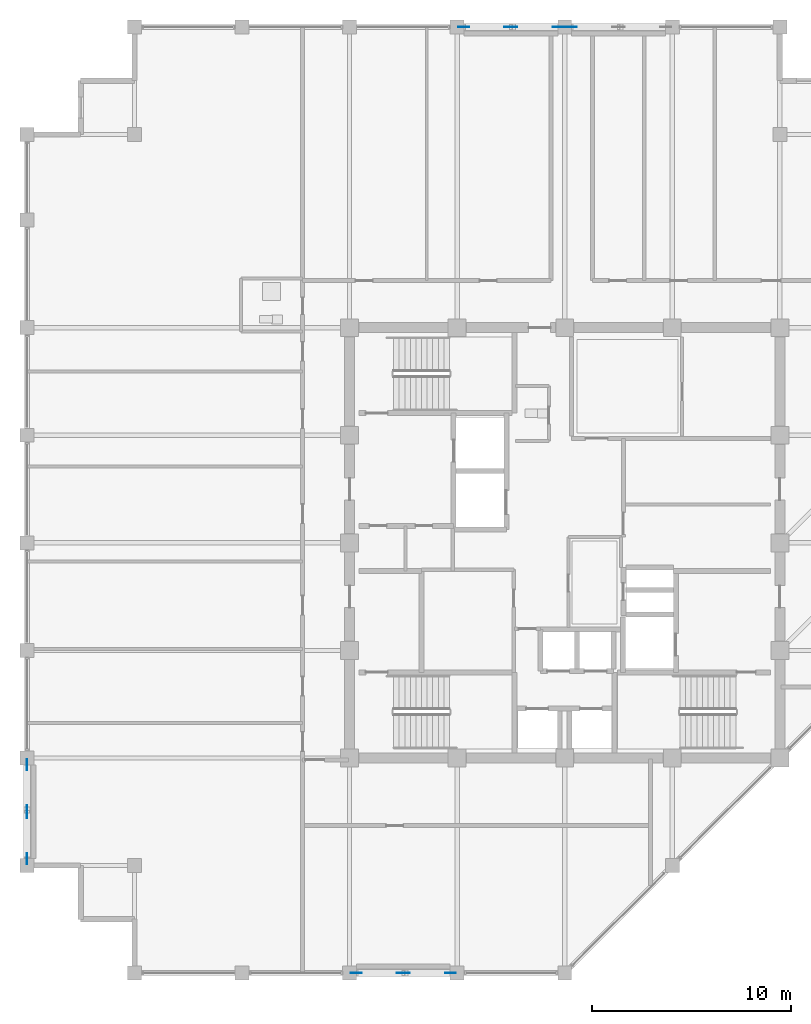
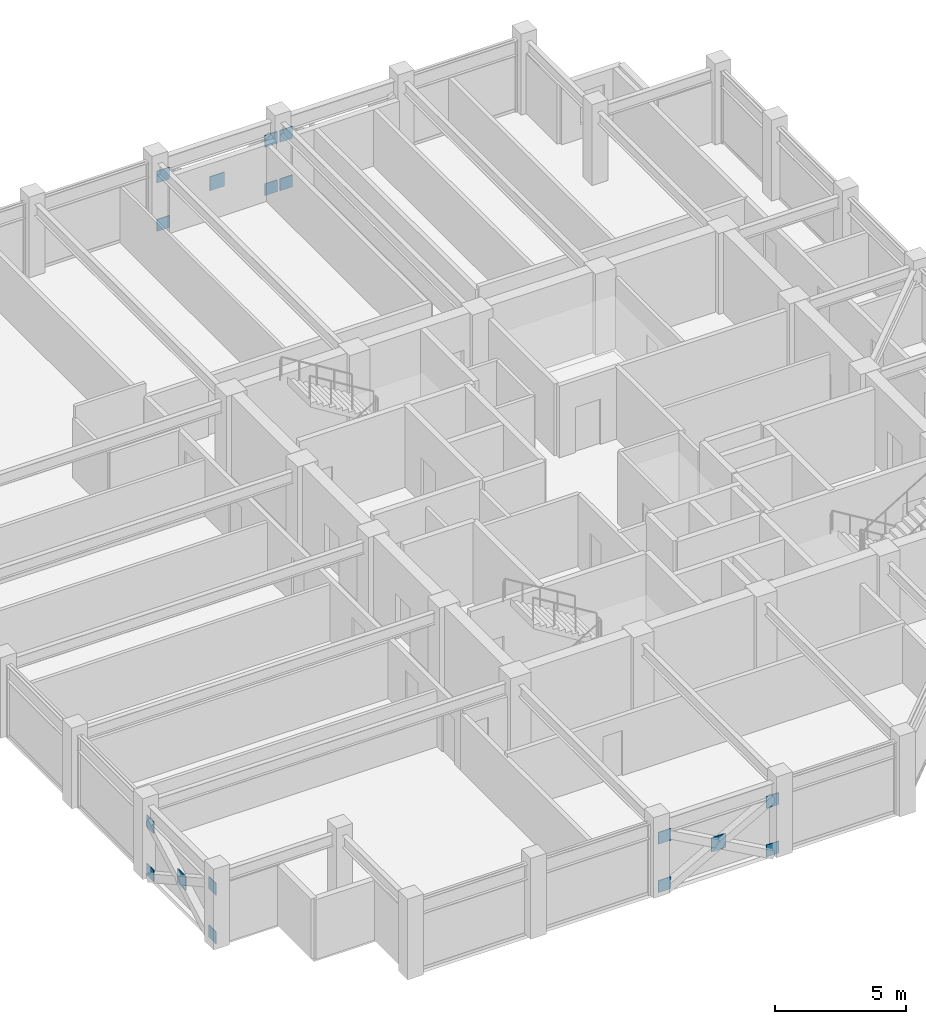
# One storey, part 24 of 31: 17 plates.
"""IFC4 building model written with IfcOpenShell, lengths in metres."""

import ifcopenshell
import ifcopenshell.guid

model = None  # the IFC model being written
_history = None  # IfcOwnerHistory: only IFC2X3 demands one
_inside = {}  # id of a spatial element -> (the spatial element, [elements in it])
_under = {}  # id of a project, library or spatial element -> (it, [spatial elements below it])
_declared = {}  # id of a project -> (the project, [libraries it declares])
_typed = {}  # id of a type object -> (the type object, [elements of that type])
_made_of = {}  # id of a material, layer set ... -> (it, [elements and type objects made of it])


def new_model(schema):
    """Start an empty IFC model of exactly this schema.

    Asked for "IFC4X3", IfcOpenShell would pick the latest addendum, in which some entities
    have other attributes; the version numbers below select the first issue.
    IFC2X3 requires an IfcOwnerHistory on every rooted entity: one is made here for all.
    """
    global model, _history
    if schema == "IFC4X3":
        model = ifcopenshell.file(schema_version=(4, 3, 0, 0))
    else:
        model = ifcopenshell.file(schema=schema)
    _inside.clear()
    _under.clear()
    _declared.clear()
    _typed.clear()
    _made_of.clear()
    _history = None
    if model.schema == "IFC2X3":
        org = make("IfcOrganization", Name="unknown")
        user = make(
            "IfcPersonAndOrganization",
            ThePerson=make("IfcPerson", FamilyName="unknown"),
            TheOrganization=org,
        )
        app = make(
            "IfcApplication",
            ApplicationDeveloper=org,
            Version="unknown",
            ApplicationFullName="unknown",
            ApplicationIdentifier="unknown",
        )
        _history = make(
            "IfcOwnerHistory",
            OwningUser=user,
            OwningApplication=app,
            ChangeAction="ADDED",
            CreationDate=0,
        )
    return model


def make(cls, **values):
    """One entity of the class cls with the attributes given. An attribute that is None is left unset."""
    return model.create_entity(
        cls, **{name: value for name, value in values.items() if value is not None}
    )


def rooted(cls, **values):
    """An entity with a GlobalId (a new one), such as an element, a storey or a relation."""
    return make(cls, GlobalId=ifcopenshell.guid.new(), OwnerHistory=_history, **values)


def si_unit(unit_type, name, prefix=None):
    """IfcSIUnit, for example si_unit("LENGTHUNIT", "METRE", prefix="MILLI")."""
    return make("IfcSIUnit", UnitType=unit_type, Prefix=prefix, Name=name)


def assignment(units):
    """IfcUnitAssignment: the units of a project."""
    return None if units is None else make("IfcUnitAssignment", Units=units)


def point(xyz):
    """IfcCartesianPoint."""
    return None if xyz is None else make("IfcCartesianPoint", Coordinates=xyz)


def direction(xyz):
    """IfcDirection."""
    return None if xyz is None else make("IfcDirection", DirectionRatios=xyz)


def frame(location, z_axis=None, x_axis=None):
    """IfcAxis2Placement3D, a coordinate frame: its origin and axes. An axis left out is left unset."""
    return make(
        "IfcAxis2Placement3D",
        Location=point(location),
        Axis=direction(z_axis),
        RefDirection=direction(x_axis),
    )


def frame_2d(location, x_axis=None):
    """IfcAxis2Placement2D, a coordinate frame in the plane: its origin and x axis."""
    return make(
        "IfcAxis2Placement2D", Location=point(location), RefDirection=direction(x_axis)
    )


def origin():
    """The frame at (0, 0, 0) with its axes left unset."""
    return frame((0.0, 0.0, 0.0))


def origin_2d():
    """The frame at (0, 0) in the plane with its x axis left unset."""
    return frame_2d((0.0, 0.0))


def place(relative_to, where):
    """IfcLocalPlacement: puts the frame where relative to a parent placement (None: the world)."""
    return make(
        "IfcLocalPlacement", PlacementRelTo=relative_to, RelativePlacement=where
    )


def context(
    kind, dimensions, precision=None, world=None, true_north=None, identifier=None
):
    """IfcGeometricRepresentationContext, for example the 3D "Model" context."""
    return make(
        "IfcGeometricRepresentationContext",
        ContextIdentifier=identifier,
        ContextType=kind,
        CoordinateSpaceDimension=dimensions,
        Precision=precision,
        WorldCoordinateSystem=world,
        TrueNorth=true_north,
    )


def subcontext(parent, identifier, kind, view, scale=None):
    """IfcGeometricRepresentationSubContext, for example "Body" below "Model"."""
    return make(
        "IfcGeometricRepresentationSubContext",
        ContextIdentifier=identifier,
        ContextType=kind,
        ParentContext=parent,
        TargetScale=scale,
        TargetView=view,
    )


def project(units=None, contexts=None):
    """IfcProject with its units and contexts."""
    return rooted(
        "IfcProject",
        Name="project",
        RepresentationContexts=contexts,
        UnitsInContext=assignment(units),
    )


def spatial(cls, under=None, at=None, **own):
    """A site, building, storey or space (cls), placed at a placement, below another one or the project."""
    s = rooted(cls, ObjectPlacement=at, **own)
    if under is not None:
        _under.setdefault(under.id(), (under, []))[1].append(s)
    return s


def profile(cls, at=None, kind="AREA", **sizes):
    """A parametric profile (cls). Its sizes go by their IFC names, for example OverallWidth=200.0."""
    return make(cls, ProfileType=kind, Position=at, **sizes)


def rectangle(**sizes):
    """IfcRectangleProfileDef."""
    return profile("IfcRectangleProfileDef", **sizes)


def extrude(swept, where, along, depth):
    """IfcExtrudedAreaSolid: the profile swept, set in the frame where, extruded along a direction by depth."""
    return make(
        "IfcExtrudedAreaSolid",
        SweptArea=swept,
        Position=where,
        ExtrudedDirection=direction(along),
        Depth=depth,
    )


def shape(context_of_items, identifier, shape_type, items):
    """IfcShapeRepresentation: the items that make up one representation, for example the "Body"."""
    return make(
        "IfcShapeRepresentation",
        ContextOfItems=context_of_items,
        RepresentationIdentifier=identifier,
        RepresentationType=shape_type,
        Items=items,
    )


def material(Name=None, Category=None):
    """IfcMaterial."""
    return make("IfcMaterial", Name=Name, Category=Category)


def layer(
    of_material, thickness, ventilated=None, Name=None, Category=None, Priority=None
):
    """IfcMaterialLayer: one layer of a wall or slab, of a material (None: an air gap)."""
    return make(
        "IfcMaterialLayer",
        Material=of_material,
        LayerThickness=thickness,
        IsVentilated=ventilated,
        Name=Name,
        Category=Category,
        Priority=Priority,
    )


def layer_set(layers, Name=None):
    """IfcMaterialLayerSet."""
    return make("IfcMaterialLayerSet", MaterialLayers=layers, LayerSetName=Name)


def made_of(thing, what):
    """Note that an element or type object is made of a material, layer set ...; save() writes the relation."""
    if what is not None:
        _made_of.setdefault(what.id(), (what, []))[1].append(thing)
    return thing


def type_object(cls, material=None, **own):
    """A type object (cls), such as IfcWallType, which elements share."""
    return made_of(rooted(cls, **own), material)


def element(
    cls,
    number,
    at=None,
    inside=None,
    cuts=None,
    type_object=None,
    material=None,
    context=None,
    identifier="Body",
    shape_type=None,
    held_by="IfcProductDefinitionShape",
    body=None,
    shapes=None,
    **own,
):
    """One element of the class cls, such as IfcWall. Its Tag is "e" and its number.

    at: its placement. inside: the storey or other place that contains it. cuts: it is an
    opening in that element (IfcRelVoidsElement). A single representation is given by context,
    identifier, shape_type and body (its items); several are given by shapes. held_by: the class
    of the entity that holds the representations. save() writes the other relations.
    """
    e = rooted(cls, Tag="e%d" % number, ObjectPlacement=at, **own)
    if body is not None:
        shapes = [shape(context, identifier, shape_type, body)]
    if shapes is not None:
        e.Representation = make(held_by, Representations=shapes)
    if inside is not None:
        _inside.setdefault(inside.id(), (inside, []))[1].append(e)
    if cuts is not None:
        rooted(
            "IfcRelVoidsElement", RelatingBuildingElement=cuts, RelatedOpeningElement=e
        )
    if type_object is not None:
        _typed.setdefault(type_object.id(), (type_object, []))[1].append(e)
    return made_of(e, material)


def aggregate(whole, parts):
    """IfcRelAggregates: a whole, such as a stair, and the parts it consists of."""
    return rooted("IfcRelAggregates", RelatingObject=whole, RelatedObjects=parts)


def save(model, path):
    """Write the relations noted so far, then the file.

    IfcRelAggregates (storeys below a building ...), IfcRelContainedInSpatialStructure (elements
    in a storey), IfcRelDefinesByType, IfcRelAssociatesMaterial and IfcRelDeclares: one each for
    every whole, place, type object, material and project.
    """
    for whole, parts in _under.values():
        aggregate(whole, parts)
    for where, things in _inside.values():
        rooted(
            "IfcRelContainedInSpatialStructure",
            RelatedElements=things,
            RelatingStructure=where,
        )
    for kind, things in _typed.values():
        rooted("IfcRelDefinesByType", RelatedObjects=things, RelatingType=kind)
    for what, things in _made_of.values():
        rooted("IfcRelAssociatesMaterial", RelatedObjects=things, RelatingMaterial=what)
    for by, libraries in _declared.values():
        rooted("IfcRelDeclares", RelatingContext=by, RelatedDefinitions=libraries)
    model.write(path)


model = new_model("IFC4")

# Units and contexts
model_context = context("Model", 3, precision=1e-05, world=origin(), true_north=direction((0.0, 1.0)))
body_context = subcontext(model_context, "Body", "Model", "MODEL_VIEW")
ifc_project = project(units=[si_unit("LENGTHUNIT", "METRE"), si_unit("AREAUNIT", "SQUARE_METRE"), si_unit("VOLUMEUNIT", "CUBIC_METRE"), si_unit("PLANEANGLEUNIT", "RADIAN"), si_unit("MASSUNIT", "GRAM", prefix="KILO")], contexts=[model_context])

# Site, building, storey
site_placement = place(None, origin())
site = spatial("IfcSite", under=ifc_project, at=site_placement, CompositionType="ELEMENT")
building_placement = place(site_placement, origin())
building = spatial("IfcBuilding", under=site, at=building_placement, Name="Surkhivell Harbour Commons", CompositionType="ELEMENT")
storey_placement = place(building_placement, frame((0.0, 0.0, 333.75)))
storey = spatial("IfcBuildingStorey", under=building, at=storey_placement, Name="L87", CompositionType="ELEMENT", Elevation=333.75)

# Plates
ifc_material = material(Name="Steel S460", Category="steel")
ifc_layer_1 = layer(ifc_material, 0.035888671875)
ifc_layer_set_1 = layer_set([ifc_layer_1], Name="Steel S460")
plate_type_1 = type_object("IfcPlateType", Name="PLT-GUS-550", PredefinedType="USERDEFINED", material=ifc_layer_set_1)
for number, where, z_axis, x_axis, name in (
    (1, (-5.06494140625, 25.89990234375, -0.07470703125), (0.0, 0.0, 1.0), (1.0, 0.0, 0.0), "L87 Perimeter Mega-Brace MB- Corner Gusset N-1"),
    (2, (-0.3349609375, 25.89990234375, -0.07470703125), (0.0, 0.0, 1.0), (1.0, 0.0, 0.0), "L87 Perimeter Mega-Brace MB- Corner Gusset N-2"),
    (3, (-5.06494140625, 25.89990234375, 2.17333984375), (0.0, 0.0, 1.0), (1.0, 0.0, 0.0), "L87 Perimeter Mega-Brace MB- Corner Gusset N-3"),
    (4, (-0.3349609375, 25.89990234375, 2.17333984375), (0.0, 0.0, 1.0), (1.0, 0.0, 0.0), "L87 Perimeter Mega-Brace MB- Corner Gusset N-4"),
    (5, (0.3349609375, 25.89990234375, -0.07470703125), (0.0, 0.0, 1.0), (1.0, 0.0, 0.0), "L87 Perimeter Mega-Brace MB- Corner Gusset N2-1"),
    (6, (0.3349609375, 25.89990234375, 2.17333984375), (0.0, 0.0, 1.0), (1.0, 0.0, 0.0), "L87 Perimeter Mega-Brace MB- Corner Gusset N2-3"),
    (7, (-10.465087890625, -21.60009765625, -0.07470703125), (0.0, 0.0, 1.0), (1.0, 0.0, 0.0), "L87 Perimeter Mega-Brace MB- Corner Gusset S-1"),
    (8, (-5.735107421875, -21.60009765625, -0.07470703125), (0.0, 0.0, 1.0), (1.0, 0.0, 0.0), "L87 Perimeter Mega-Brace MB- Corner Gusset S-2"),
    (9, (-10.465087890625, -21.60009765625, 2.17333984375), (0.0, 0.0, 1.0), (1.0, 0.0, 0.0), "L87 Perimeter Mega-Brace MB- Corner Gusset S-3"),
    (10, (-5.735107421875, -21.60009765625, 2.17333984375), (0.0, 0.0, 1.0), (1.0, 0.0, 0.0), "L87 Perimeter Mega-Brace MB- Corner Gusset S-4"),
    (11, (-27.0, -15.864990234375, -0.07470703125), (0.0, 0.0, 1.0), (0.0, 1.0, 0.0), "L87 Perimeter Mega-Brace MB- Corner Gusset W-1"),
    (12, (-27.0, -11.135009765625, -0.07470703125), (0.0, 0.0, 1.0), (0.0, 1.0, 0.0), "L87 Perimeter Mega-Brace MB- Corner Gusset W-2"),
    (13, (-27.0, -15.864990234375, 2.17333984375), (0.0, 0.0, 1.0), (0.0, 1.0, 0.0), "L87 Perimeter Mega-Brace MB- Corner Gusset W-3"),
    (14, (-27.0, -11.135009765625, 2.17333984375), (0.0, 0.0, 1.0), (0.0, 1.0, 0.0), "L87 Perimeter Mega-Brace MB- Corner Gusset W-4"),
):
    element("IfcPlate", number, at=place(storey_placement, frame(where, z_axis=z_axis, x_axis=x_axis)), inside=storey, type_object=plate_type_1, Name=name, ObjectType="GUSSET_PLATE", PredefinedType="USERDEFINED", context=body_context, shape_type="SweptSolid", body=[
        extrude(rectangle(XDim=0.550048828125, YDim=0.035888671875, at=origin_2d()), origin(), (0.0, 0.0, 1.0), 0.550048828125),
    ])
ifc_layer_2 = layer(ifc_material, 0.044921875)
ifc_layer_set_2 = layer_set([ifc_layer_2], Name="Steel S460")
plate_type_2 = type_object("IfcPlateType", Name="PLT-GUS-650", PredefinedType="USERDEFINED", material=ifc_layer_set_2)
for number, where, z_axis, x_axis, name in (
    (15, (-2.699951171875, 25.89990234375, 0.99951171875), (0.0, 0.0, 1.0), (1.0, 0.0, 0.0), "L87 Perimeter Mega-Brace MB- Central Crossing Gusset N"),
    (16, (-8.10009765625, -21.60009765625, 0.99951171875), (0.0, 0.0, 1.0), (1.0, 0.0, 0.0), "L87 Perimeter Mega-Brace MB- Central Crossing Gusset S"),
    (17, (-27.0, -13.5, 0.99951171875), (0.0, 0.0, 1.0), (0.0, 1.0, 0.0), "L87 Perimeter Mega-Brace MB- Central Crossing Gusset W"),
):
    element("IfcPlate", number, at=place(storey_placement, frame(where, z_axis=z_axis, x_axis=x_axis)), inside=storey, type_object=plate_type_2, Name=name, ObjectType="GUSSET_PLATE", PredefinedType="USERDEFINED", context=body_context, shape_type="SweptSolid", body=[
        extrude(rectangle(XDim=0.64990234375, YDim=0.044921875, at=origin_2d()), origin(), (0.0, 0.0, 1.0), 0.64990234375),
    ])

save(model, "model.ifc")
